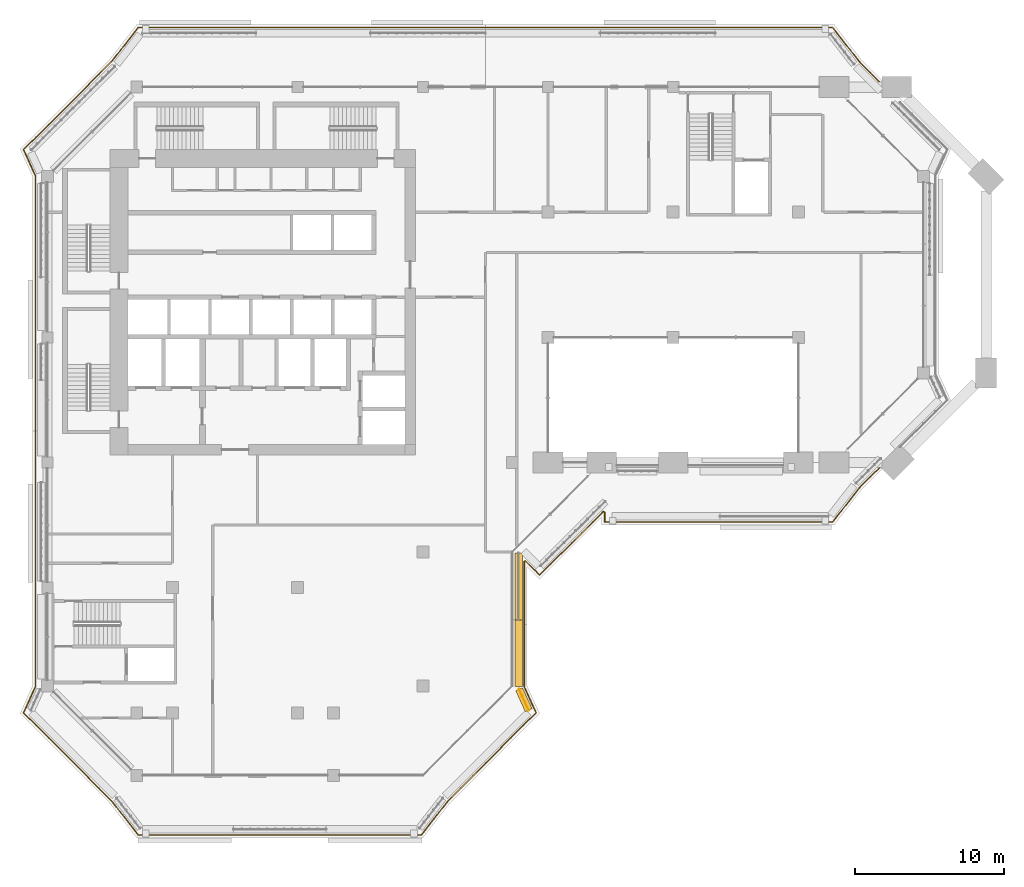
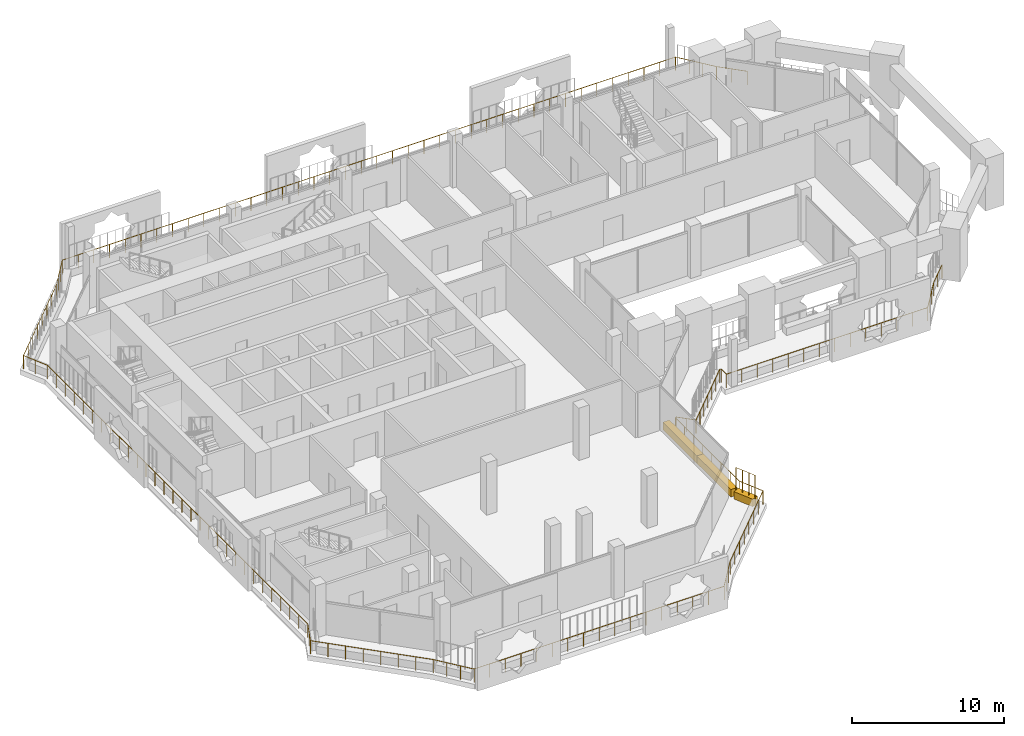
# One storey, part 18 of 23: 3 coverings, 3 railings.
"""IFC4 building model written with IfcOpenShell, lengths in metres."""

from ifc_helpers import new_model, si_unit, direction, frame, origin, origin_2d, place, context, subcontext, project, spatial, rectangle, circle, extrude, material, material_profile, profile_set, type_object, element, save


model = new_model("IFC4")

# Units and contexts
model_context = context("Model", 3, precision=1e-05, world=origin(), true_north=direction((0.0, 1.0)))
body_context = subcontext(model_context, "Body", "Model", "MODEL_VIEW")
ifc_project = project(units=[si_unit("LENGTHUNIT", "METRE"), si_unit("AREAUNIT", "SQUARE_METRE"), si_unit("VOLUMEUNIT", "CUBIC_METRE"), si_unit("PLANEANGLEUNIT", "RADIAN"), si_unit("MASSUNIT", "GRAM", prefix="KILO")], contexts=[model_context])

# Site, building, storey
site_placement = place(None, origin())
site = spatial("IfcSite", under=ifc_project, at=site_placement, CompositionType="ELEMENT")
building_placement = place(site_placement, origin())
building = spatial("IfcBuilding", under=site, at=building_placement, Name="Kawkab Arch Medical Tower", CompositionType="ELEMENT")
storey_placement = place(building_placement, frame((0.0, 0.0, 281.800048828125)))
storey = spatial("IfcBuildingStorey", under=building, at=storey_placement, Name="L65", CompositionType="ELEMENT", Elevation=281.800048828125)

# Railings
ifc_material_1 = material(Name="Bronze anodised aluminium guard", Category="aluminium")
railing_type_1 = type_object("IfcRailingType", Name="Loggia and terrace guard 1100", PredefinedType="GUARDRAIL", material=ifc_material_1)
railing_1_placement = place(storey_placement, frame((6.097900390625, -50.199951171875, 0.0)))
element("IfcRailing", 1, at=railing_1_placement, inside=storey, type_object=railing_type_1, Name="Guard L65.LOG-01.2.1", PredefinedType="GUARDRAIL", context=body_context, shape_type="SweptSolid", body=[
    extrude(circle(Radius=0.02392578125, at=origin_2d()), frame((0.0, 0.0, 1.076171875), z_axis=(-0.614144026922, 0.789193964876, 0.0), x_axis=(-0.789193964876, -0.614144026922, 0.0)), (0.0, 0.0, 1.0), 2.907958984375),
    extrude(circle(Radius=0.02392578125, at=origin_2d()), frame((-1.785888671875, 2.294921875, 1.076171875), z_axis=(-0.707106781187, 0.707106781187, 0.0), x_axis=(-0.707106781187, -0.707106781187, 0.0)), (0.0, 0.0, 1.0), 8.35791015625),
    extrude(circle(Radius=0.02392578125, at=origin_2d()), frame((-7.69580078125, 8.204833984375, 1.076171875), z_axis=(0.414404752076, 0.910092688388, 0.0), x_axis=(-0.910092688388, 0.414404752076, 0.0)), (0.0, 0.0, 1.0), 1.92529296875),
    extrude(circle(Radius=0.02392578125, at=origin_2d()), frame((-6.89794921875, 9.95703125, 1.076171875), z_axis=(0.0, 1.0, 0.0), x_axis=(-1.0, 0.0, 0.0)), (0.0, 0.0, 1.0), 34.285888671875),
    extrude(circle(Radius=0.02392578125, at=origin_2d()), frame((-6.89794921875, 44.242919921875, 1.076171875), z_axis=(-0.414452581809, 0.910070907914, 0.0), x_axis=(-0.910070907914, -0.414452581809, 0.0)), (0.0, 0.0, 1.0), 1.925048828125),
    extrude(circle(Radius=0.02392578125, at=origin_2d()), frame((-7.69580078125, 45.994873046875, 1.076171875), z_axis=(0.707092175918, 0.707121386154, 0.0), x_axis=(-0.707121386154, 0.707092175918, 0.0)), (0.0, 0.0, 1.0), 8.358154296875),
    extrude(circle(Radius=0.02392578125, at=origin_2d()), frame((-1.785888671875, 51.905029296875, 1.076171875), z_axis=(0.614144026922, 0.789193964876, 0.0), x_axis=(-0.789193964876, 0.614144026922, 0.0)), (0.0, 0.0, 1.0), 2.907958984375),
    extrude(circle(Radius=0.02392578125, at=origin_2d()), frame((0.0, 54.199951171875, 1.076171875), z_axis=(1.0, 0.0, 0.0), x_axis=(0.0, 1.0, 0.0)), (0.0, 0.0, 1.0), 46.60400390625),
    extrude(circle(Radius=0.02392578125, at=origin_2d()), frame((46.60400390625, 54.199951171875, 1.076171875), z_axis=(0.614196313452, -0.789153273162, 0.0), x_axis=(0.789153273162, 0.614196313452, 0.0)), (0.0, 0.0, 1.0), 2.908203125),
    extrude(circle(Radius=0.02392578125, at=origin_2d()), frame((48.39013671875, 51.905029296875, 1.076171875), z_axis=(0.707048537558, -0.707165020018, 0.0), x_axis=(0.707165020018, 0.707048537558, 0.0)), (0.0, 0.0, 1.0), 2.095947265625),
    extrude(circle(Radius=0.02099609375, at=origin_2d()), origin(), (0.0, 0.0, 1.0), 1.052001953125),
    extrude(circle(Radius=0.02099609375, at=origin_2d()), frame((-0.59521484375, 0.764892578125, 0.0)), (0.0, 0.0, 1.0), 1.052001953125),
    extrude(circle(Radius=0.02099609375, at=origin_2d()), frame((-1.190673828125, 1.530029296875, 0.0)), (0.0, 0.0, 1.0), 1.052001953125),
    extrude(circle(Radius=0.02099609375, at=origin_2d()), frame((-1.785888671875, 2.294921875, 0.0)), (0.0, 0.0, 1.0), 1.052001953125),
    extrude(circle(Radius=0.02099609375, at=origin_2d()), frame((-2.630126953125, 3.13916015625, 0.0)), (0.0, 0.0, 1.0), 1.052001953125),
    extrude(circle(Radius=0.02099609375, at=origin_2d()), frame((-3.474365234375, 3.9833984375, 0.0)), (0.0, 0.0, 1.0), 1.052001953125),
    extrude(circle(Radius=0.02099609375, at=origin_2d()), frame((-4.318603515625, 4.82763671875, 0.0)), (0.0, 0.0, 1.0), 1.052001953125),
    extrude(circle(Radius=0.02099609375, at=origin_2d()), frame((-5.1630859375, 5.672119140625, 0.0)), (0.0, 0.0, 1.0), 1.052001953125),
    extrude(circle(Radius=0.02099609375, at=origin_2d()), frame((-6.00732421875, 6.516357421875, 0.0)), (0.0, 0.0, 1.0), 1.052001953125),
    extrude(circle(Radius=0.02099609375, at=origin_2d()), frame((-6.8515625, 7.360595703125, 0.0)), (0.0, 0.0, 1.0), 1.052001953125),
    extrude(circle(Radius=0.02099609375, at=origin_2d()), frame((-7.69580078125, 8.204833984375, 0.0)), (0.0, 0.0, 1.0), 1.052001953125),
    extrude(circle(Radius=0.02099609375, at=origin_2d()), frame((-7.296875, 9.0810546875, 0.0)), (0.0, 0.0, 1.0), 1.052001953125),
    extrude(circle(Radius=0.02099609375, at=origin_2d()), frame((-6.89794921875, 9.95703125, 0.0)), (0.0, 0.0, 1.0), 1.052001953125),
    extrude(circle(Radius=0.02099609375, at=origin_2d()), frame((-6.89794921875, 11.139404296875, 0.0)), (0.0, 0.0, 1.0), 1.052001953125),
    extrude(circle(Radius=0.02099609375, at=origin_2d()), frame((-6.89794921875, 12.321533203125, 0.0)), (0.0, 0.0, 1.0), 1.052001953125),
    extrude(circle(Radius=0.02099609375, at=origin_2d()), frame((-6.89794921875, 13.50390625, 0.0)), (0.0, 0.0, 1.0), 1.052001953125),
    extrude(circle(Radius=0.02099609375, at=origin_2d()), frame((-6.89794921875, 14.68603515625, 0.0)), (0.0, 0.0, 1.0), 1.052001953125),
    extrude(circle(Radius=0.02099609375, at=origin_2d()), frame((-6.89794921875, 15.868408203125, 0.0)), (0.0, 0.0, 1.0), 1.052001953125),
    extrude(circle(Radius=0.02099609375, at=origin_2d()), frame((-6.89794921875, 17.05078125, 0.0)), (0.0, 0.0, 1.0), 1.052001953125),
    extrude(circle(Radius=0.02099609375, at=origin_2d()), frame((-6.89794921875, 18.23291015625, 0.0)), (0.0, 0.0, 1.0), 1.052001953125),
    extrude(circle(Radius=0.02099609375, at=origin_2d()), frame((-6.89794921875, 19.415283203125, 0.0)), (0.0, 0.0, 1.0), 1.052001953125),
    extrude(circle(Radius=0.02099609375, at=origin_2d()), frame((-6.89794921875, 20.597412109375, 0.0)), (0.0, 0.0, 1.0), 1.052001953125),
    extrude(circle(Radius=0.02099609375, at=origin_2d()), frame((-6.89794921875, 21.77978515625, 0.0)), (0.0, 0.0, 1.0), 1.052001953125),
    extrude(circle(Radius=0.02099609375, at=origin_2d()), frame((-6.89794921875, 22.9619140625, 0.0)), (0.0, 0.0, 1.0), 1.052001953125),
    extrude(circle(Radius=0.02099609375, at=origin_2d()), frame((-6.89794921875, 24.144287109375, 0.0)), (0.0, 0.0, 1.0), 1.052001953125),
    extrude(circle(Radius=0.02099609375, at=origin_2d()), frame((-6.89794921875, 25.32666015625, 0.0)), (0.0, 0.0, 1.0), 1.052001953125),
    extrude(circle(Radius=0.02099609375, at=origin_2d()), frame((-6.89794921875, 26.5087890625, 0.0)), (0.0, 0.0, 1.0), 1.052001953125),
    extrude(circle(Radius=0.02099609375, at=origin_2d()), frame((-6.89794921875, 27.691162109375, 0.0)), (0.0, 0.0, 1.0), 1.052001953125),
    extrude(circle(Radius=0.02099609375, at=origin_2d()), frame((-6.89794921875, 28.873291015625, 0.0)), (0.0, 0.0, 1.0), 1.052001953125),
    extrude(circle(Radius=0.02099609375, at=origin_2d()), frame((-6.89794921875, 30.0556640625, 0.0)), (0.0, 0.0, 1.0), 1.052001953125),
    extrude(circle(Radius=0.02099609375, at=origin_2d()), frame((-6.89794921875, 31.238037109375, 0.0)), (0.0, 0.0, 1.0), 1.052001953125),
    extrude(circle(Radius=0.02099609375, at=origin_2d()), frame((-6.89794921875, 32.420166015625, 0.0)), (0.0, 0.0, 1.0), 1.052001953125),
    extrude(circle(Radius=0.02099609375, at=origin_2d()), frame((-6.89794921875, 33.6025390625, 0.0)), (0.0, 0.0, 1.0), 1.052001953125),
    extrude(circle(Radius=0.02099609375, at=origin_2d()), frame((-6.89794921875, 34.78466796875, 0.0)), (0.0, 0.0, 1.0), 1.052001953125),
    extrude(circle(Radius=0.02099609375, at=origin_2d()), frame((-6.89794921875, 35.967041015625, 0.0)), (0.0, 0.0, 1.0), 1.052001953125),
    extrude(circle(Radius=0.02099609375, at=origin_2d()), frame((-6.89794921875, 37.149169921875, 0.0)), (0.0, 0.0, 1.0), 1.052001953125),
    extrude(circle(Radius=0.02099609375, at=origin_2d()), frame((-6.89794921875, 38.33154296875, 0.0)), (0.0, 0.0, 1.0), 1.052001953125),
    extrude(circle(Radius=0.02099609375, at=origin_2d()), frame((-6.89794921875, 39.513916015625, 0.0)), (0.0, 0.0, 1.0), 1.052001953125),
    extrude(circle(Radius=0.02099609375, at=origin_2d()), frame((-6.89794921875, 40.696044921875, 0.0)), (0.0, 0.0, 1.0), 1.052001953125),
    extrude(circle(Radius=0.02099609375, at=origin_2d()), frame((-6.89794921875, 41.87841796875, 0.0)), (0.0, 0.0, 1.0), 1.052001953125),
    extrude(circle(Radius=0.02099609375, at=origin_2d()), frame((-6.89794921875, 43.060546875, 0.0)), (0.0, 0.0, 1.0), 1.052001953125),
    extrude(circle(Radius=0.02099609375, at=origin_2d()), frame((-6.89794921875, 44.242919921875, 0.0)), (0.0, 0.0, 1.0), 1.052001953125),
    extrude(circle(Radius=0.02099609375, at=origin_2d()), frame((-7.296875, 45.118896484375, 0.0)), (0.0, 0.0, 1.0), 1.052001953125),
    extrude(circle(Radius=0.02099609375, at=origin_2d()), frame((-7.69580078125, 45.994873046875, 0.0)), (0.0, 0.0, 1.0), 1.052001953125),
    extrude(circle(Radius=0.02099609375, at=origin_2d()), frame((-6.8515625, 46.839111328125, 0.0)), (0.0, 0.0, 1.0), 1.052001953125),
    extrude(circle(Radius=0.02099609375, at=origin_2d()), frame((-6.00732421875, 47.68359375, 0.0)), (0.0, 0.0, 1.0), 1.052001953125),
    extrude(circle(Radius=0.02099609375, at=origin_2d()), frame((-5.1630859375, 48.52783203125, 0.0)), (0.0, 0.0, 1.0), 1.052001953125),
    extrude(circle(Radius=0.02099609375, at=origin_2d()), frame((-4.318603515625, 49.3720703125, 0.0)), (0.0, 0.0, 1.0), 1.052001953125),
    extrude(circle(Radius=0.02099609375, at=origin_2d()), frame((-3.474365234375, 50.21630859375, 0.0)), (0.0, 0.0, 1.0), 1.052001953125),
    extrude(circle(Radius=0.02099609375, at=origin_2d()), frame((-2.630126953125, 51.060791015625, 0.0)), (0.0, 0.0, 1.0), 1.052001953125),
    extrude(circle(Radius=0.02099609375, at=origin_2d()), frame((-1.785888671875, 51.905029296875, 0.0)), (0.0, 0.0, 1.0), 1.052001953125),
    extrude(circle(Radius=0.02099609375, at=origin_2d()), frame((-1.190673828125, 52.669921875, 0.0)), (0.0, 0.0, 1.0), 1.052001953125),
    extrude(circle(Radius=0.02099609375, at=origin_2d()), frame((-0.59521484375, 53.43505859375, 0.0)), (0.0, 0.0, 1.0), 1.052001953125),
    extrude(circle(Radius=0.02099609375, at=origin_2d()), frame((0.0, 54.199951171875, 0.0)), (0.0, 0.0, 1.0), 1.052001953125),
    extrude(circle(Radius=0.02099609375, at=origin_2d()), frame((1.195068359375, 54.199951171875, 0.0)), (0.0, 0.0, 1.0), 1.052001953125),
    extrude(circle(Radius=0.02099609375, at=origin_2d()), frame((2.389892578125, 54.199951171875, 0.0)), (0.0, 0.0, 1.0), 1.052001953125),
    extrude(circle(Radius=0.02099609375, at=origin_2d()), frame((3.5849609375, 54.199951171875, 0.0)), (0.0, 0.0, 1.0), 1.052001953125),
    extrude(circle(Radius=0.02099609375, at=origin_2d()), frame((4.77978515625, 54.199951171875, 0.0)), (0.0, 0.0, 1.0), 1.052001953125),
    extrude(circle(Radius=0.02099609375, at=origin_2d()), frame((5.974853515625, 54.199951171875, 0.0)), (0.0, 0.0, 1.0), 1.052001953125),
    extrude(circle(Radius=0.02099609375, at=origin_2d()), frame((7.169921875, 54.199951171875, 0.0)), (0.0, 0.0, 1.0), 1.052001953125),
    extrude(circle(Radius=0.02099609375, at=origin_2d()), frame((8.36474609375, 54.199951171875, 0.0)), (0.0, 0.0, 1.0), 1.052001953125),
    extrude(circle(Radius=0.02099609375, at=origin_2d()), frame((9.559814453125, 54.199951171875, 0.0)), (0.0, 0.0, 1.0), 1.052001953125),
    extrude(circle(Radius=0.02099609375, at=origin_2d()), frame((10.7548828125, 54.199951171875, 0.0)), (0.0, 0.0, 1.0), 1.052001953125),
    extrude(circle(Radius=0.02099609375, at=origin_2d()), frame((11.94970703125, 54.199951171875, 0.0)), (0.0, 0.0, 1.0), 1.052001953125),
    extrude(circle(Radius=0.02099609375, at=origin_2d()), frame((13.144775390625, 54.199951171875, 0.0)), (0.0, 0.0, 1.0), 1.052001953125),
    extrude(circle(Radius=0.02099609375, at=origin_2d()), frame((14.339599609375, 54.199951171875, 0.0)), (0.0, 0.0, 1.0), 1.052001953125),
    extrude(circle(Radius=0.02099609375, at=origin_2d()), frame((15.53466796875, 54.199951171875, 0.0)), (0.0, 0.0, 1.0), 1.052001953125),
    extrude(circle(Radius=0.02099609375, at=origin_2d()), frame((16.729736328125, 54.199951171875, 0.0)), (0.0, 0.0, 1.0), 1.052001953125),
    extrude(circle(Radius=0.02099609375, at=origin_2d()), frame((17.924560546875, 54.199951171875, 0.0)), (0.0, 0.0, 1.0), 1.052001953125),
    extrude(circle(Radius=0.02099609375, at=origin_2d()), frame((19.11962890625, 54.199951171875, 0.0)), (0.0, 0.0, 1.0), 1.052001953125),
    extrude(circle(Radius=0.02099609375, at=origin_2d()), frame((20.314453125, 54.199951171875, 0.0)), (0.0, 0.0, 1.0), 1.052001953125),
    extrude(circle(Radius=0.02099609375, at=origin_2d()), frame((21.509521484375, 54.199951171875, 0.0)), (0.0, 0.0, 1.0), 1.052001953125),
    extrude(circle(Radius=0.02099609375, at=origin_2d()), frame((22.70458984375, 54.199951171875, 0.0)), (0.0, 0.0, 1.0), 1.052001953125),
    extrude(circle(Radius=0.02099609375, at=origin_2d()), frame((23.8994140625, 54.199951171875, 0.0)), (0.0, 0.0, 1.0), 1.052001953125),
    extrude(circle(Radius=0.02099609375, at=origin_2d()), frame((25.094482421875, 54.199951171875, 0.0)), (0.0, 0.0, 1.0), 1.052001953125),
    extrude(circle(Radius=0.02099609375, at=origin_2d()), frame((26.28955078125, 54.199951171875, 0.0)), (0.0, 0.0, 1.0), 1.052001953125),
    extrude(circle(Radius=0.02099609375, at=origin_2d()), frame((27.484375, 54.199951171875, 0.0)), (0.0, 0.0, 1.0), 1.052001953125),
    extrude(circle(Radius=0.02099609375, at=origin_2d()), frame((28.679443359375, 54.199951171875, 0.0)), (0.0, 0.0, 1.0), 1.052001953125),
    extrude(circle(Radius=0.02099609375, at=origin_2d()), frame((29.874267578125, 54.199951171875, 0.0)), (0.0, 0.0, 1.0), 1.052001953125),
    extrude(circle(Radius=0.02099609375, at=origin_2d()), frame((31.0693359375, 54.199951171875, 0.0)), (0.0, 0.0, 1.0), 1.052001953125),
    extrude(circle(Radius=0.02099609375, at=origin_2d()), frame((32.264404296875, 54.199951171875, 0.0)), (0.0, 0.0, 1.0), 1.052001953125),
    extrude(circle(Radius=0.02099609375, at=origin_2d()), frame((33.459228515625, 54.199951171875, 0.0)), (0.0, 0.0, 1.0), 1.052001953125),
    extrude(circle(Radius=0.02099609375, at=origin_2d()), frame((34.654296875, 54.199951171875, 0.0)), (0.0, 0.0, 1.0), 1.052001953125),
    extrude(circle(Radius=0.02099609375, at=origin_2d()), frame((35.84912109375, 54.199951171875, 0.0)), (0.0, 0.0, 1.0), 1.052001953125),
    extrude(circle(Radius=0.02099609375, at=origin_2d()), frame((37.044189453125, 54.199951171875, 0.0)), (0.0, 0.0, 1.0), 1.052001953125),
    extrude(circle(Radius=0.02099609375, at=origin_2d()), frame((38.2392578125, 54.199951171875, 0.0)), (0.0, 0.0, 1.0), 1.052001953125),
    extrude(circle(Radius=0.02099609375, at=origin_2d()), frame((39.43408203125, 54.199951171875, 0.0)), (0.0, 0.0, 1.0), 1.052001953125),
    extrude(circle(Radius=0.02099609375, at=origin_2d()), frame((40.629150390625, 54.199951171875, 0.0)), (0.0, 0.0, 1.0), 1.052001953125),
    extrude(circle(Radius=0.02099609375, at=origin_2d()), frame((41.82421875, 54.199951171875, 0.0)), (0.0, 0.0, 1.0), 1.052001953125),
    extrude(circle(Radius=0.02099609375, at=origin_2d()), frame((43.01904296875, 54.199951171875, 0.0)), (0.0, 0.0, 1.0), 1.052001953125),
    extrude(circle(Radius=0.02099609375, at=origin_2d()), frame((44.214111328125, 54.199951171875, 0.0)), (0.0, 0.0, 1.0), 1.052001953125),
    extrude(circle(Radius=0.02099609375, at=origin_2d()), frame((45.408935546875, 54.199951171875, 0.0)), (0.0, 0.0, 1.0), 1.052001953125),
    extrude(circle(Radius=0.02099609375, at=origin_2d()), frame((46.60400390625, 54.199951171875, 0.0)), (0.0, 0.0, 1.0), 1.052001953125),
    extrude(circle(Radius=0.02099609375, at=origin_2d()), frame((47.199462890625, 53.43505859375, 0.0)), (0.0, 0.0, 1.0), 1.052001953125),
    extrude(circle(Radius=0.02099609375, at=origin_2d()), frame((47.794677734375, 52.669921875, 0.0)), (0.0, 0.0, 1.0), 1.052001953125),
    extrude(circle(Radius=0.02099609375, at=origin_2d()), frame((48.39013671875, 51.905029296875, 0.0)), (0.0, 0.0, 1.0), 1.052001953125),
    extrude(circle(Radius=0.02099609375, at=origin_2d()), frame((49.131103515625, 51.1640625, 0.0)), (0.0, 0.0, 1.0), 1.052001953125),
    extrude(circle(Radius=0.02099609375, at=origin_2d()), frame((49.8720703125, 50.4228515625, 0.0)), (0.0, 0.0, 1.0), 1.052001953125),
])
railing_2_placement = place(storey_placement, frame((55.969970703125, -25.423095703125, 0.0)))
element("IfcRailing", 2, at=railing_2_placement, inside=storey, type_object=railing_type_1, Name="Guard L65.LOG-01.2.3", PredefinedType="GUARDRAIL", context=body_context, shape_type="SweptSolid", body=[
    extrude(circle(Radius=0.02392578125, at=origin_2d()), frame((0.0, 0.0, 1.076171875), z_axis=(-0.707106781187, -0.707106781187, 0.0), x_axis=(0.707106781187, -0.707106781187, 0.0)), (0.0, 0.0, 1.0), 2.095703125),
    extrude(circle(Radius=0.02392578125, at=origin_2d()), frame((-1.48193359375, -1.48193359375, 1.076171875), z_axis=(-0.614196313452, -0.789153273162, 0.0), x_axis=(0.789153273162, -0.614196313452, 0.0)), (0.0, 0.0, 1.0), 2.908203125),
    extrude(circle(Radius=0.02392578125, at=origin_2d()), frame((-3.26806640625, -3.77685546875, 1.076171875), z_axis=(-1.0, 0.0, 0.0), x_axis=(0.0, -1.0, 0.0)), (0.0, 0.0, 1.0), 15.302001953125),
    extrude(circle(Radius=0.02392578125, at=origin_2d()), frame((-18.570068359375, -3.77685546875, 1.076171875), z_axis=(0.0, 1.0, 0.0), x_axis=(-1.0, 0.0, 0.0)), (0.0, 0.0, 1.0), 0.6728515625),
    extrude(circle(Radius=0.02392578125, at=origin_2d()), frame((-18.570068359375, -3.10400390625, 1.076171875), z_axis=(-0.923431341387, 0.383763674343, 0.0), x_axis=(-0.383763674343, -0.923431341387, 0.0)), (0.0, 0.0, 1.0), 0.101806640625),
    extrude(circle(Radius=0.02392578125, at=origin_2d()), frame((-18.6640625, -3.06494140625, 1.076171875), z_axis=(-0.707187685852, -0.707025867263, 0.0), x_axis=(0.707025867263, -0.707187685852, 0.0)), (0.0, 0.0, 1.0), 6.034912109375),
    extrude(circle(Radius=0.02392578125, at=origin_2d()), frame((-22.931884765625, -7.331787109375, 1.076171875), z_axis=(-0.707198215437, 0.707015335112, 0.0), x_axis=(-0.707015335112, -0.707198215437, 0.0)), (0.0, 0.0, 1.0), 1.3349609375),
    extrude(circle(Radius=0.02392578125, at=origin_2d()), frame((-23.8759765625, -6.387939453125, 1.076171875), z_axis=(-0.923431341387, -0.383763674343, 0.0), x_axis=(0.383763674343, -0.923431341387, 0.0)), (0.0, 0.0, 1.0), 0.101806640625),
    extrude(circle(Radius=0.02392578125, at=origin_2d()), frame((-23.969970703125, -6.427001953125, 1.076171875), z_axis=(0.0, -1.0, 0.0), x_axis=(1.0, 0.0, 0.0)), (0.0, 0.0, 1.0), 8.392822265625),
    extrude(circle(Radius=0.02392578125, at=origin_2d()), frame((-23.969970703125, -14.81982421875, 1.076171875), z_axis=(0.414509773934, -0.910044860056, 0.0), x_axis=(0.910044860056, 0.414509773934, 0.0)), (0.0, 0.0, 1.0), 1.92529296875),
    extrude(circle(Radius=0.02392578125, at=origin_2d()), frame((-23.171875, -16.572021484375, 1.076171875), z_axis=(-0.707121386154, -0.707092175918, 0.0), x_axis=(0.707092175918, -0.707121386154, 0.0)), (0.0, 0.0, 1.0), 8.358154296875),
    extrude(circle(Radius=0.02392578125, at=origin_2d()), frame((-29.08203125, -22.48193359375, 1.076171875), z_axis=(-0.614144026922, -0.789193964876, 0.0), x_axis=(0.789193964876, -0.614144026922, 0.0)), (0.0, 0.0, 1.0), 2.907958984375),
    extrude(circle(Radius=0.02392578125, at=origin_2d()), frame((-30.867919921875, -24.77685546875, 1.076171875), z_axis=(-1.0, 0.0, 0.0), x_axis=(0.0, -1.0, 0.0)), (0.0, 0.0, 1.0), 19.004150390625),
    extrude(circle(Radius=0.02099609375, at=origin_2d()), origin(), (0.0, 0.0, 1.0), 1.052001953125),
    extrude(circle(Radius=0.02099609375, at=origin_2d()), frame((-0.740966796875, -0.740966796875, 0.0)), (0.0, 0.0, 1.0), 1.052001953125),
    extrude(circle(Radius=0.02099609375, at=origin_2d()), frame((-1.48193359375, -1.48193359375, 0.0)), (0.0, 0.0, 1.0), 1.052001953125),
    extrude(circle(Radius=0.02099609375, at=origin_2d()), frame((-2.077392578125, -2.246826171875, 0.0)), (0.0, 0.0, 1.0), 1.052001953125),
    extrude(circle(Radius=0.02099609375, at=origin_2d()), frame((-2.672607421875, -3.011962890625, 0.0)), (0.0, 0.0, 1.0), 1.052001953125),
    extrude(circle(Radius=0.02099609375, at=origin_2d()), frame((-3.26806640625, -3.77685546875, 0.0)), (0.0, 0.0, 1.0), 1.052001953125),
    extrude(circle(Radius=0.02099609375, at=origin_2d()), frame((-4.445068359375, -3.77685546875, 0.0)), (0.0, 0.0, 1.0), 1.052001953125),
    extrude(circle(Radius=0.02099609375, at=origin_2d()), frame((-5.622314453125, -3.77685546875, 0.0)), (0.0, 0.0, 1.0), 1.052001953125),
    extrude(circle(Radius=0.02099609375, at=origin_2d()), frame((-6.79931640625, -3.77685546875, 0.0)), (0.0, 0.0, 1.0), 1.052001953125),
    extrude(circle(Radius=0.02099609375, at=origin_2d()), frame((-7.976318359375, -3.77685546875, 0.0)), (0.0, 0.0, 1.0), 1.052001953125),
    extrude(circle(Radius=0.02099609375, at=origin_2d()), frame((-9.153564453125, -3.77685546875, 0.0)), (0.0, 0.0, 1.0), 1.052001953125),
    extrude(circle(Radius=0.02099609375, at=origin_2d()), frame((-10.33056640625, -3.77685546875, 0.0)), (0.0, 0.0, 1.0), 1.052001953125),
    extrude(circle(Radius=0.02099609375, at=origin_2d()), frame((-11.507568359375, -3.77685546875, 0.0)), (0.0, 0.0, 1.0), 1.052001953125),
    extrude(circle(Radius=0.02099609375, at=origin_2d()), frame((-12.6845703125, -3.77685546875, 0.0)), (0.0, 0.0, 1.0), 1.052001953125),
    extrude(circle(Radius=0.02099609375, at=origin_2d()), frame((-13.86181640625, -3.77685546875, 0.0)), (0.0, 0.0, 1.0), 1.052001953125),
    extrude(circle(Radius=0.02099609375, at=origin_2d()), frame((-15.038818359375, -3.77685546875, 0.0)), (0.0, 0.0, 1.0), 1.052001953125),
    extrude(circle(Radius=0.02099609375, at=origin_2d()), frame((-16.2158203125, -3.77685546875, 0.0)), (0.0, 0.0, 1.0), 1.052001953125),
    extrude(circle(Radius=0.02099609375, at=origin_2d()), frame((-17.39306640625, -3.77685546875, 0.0)), (0.0, 0.0, 1.0), 1.052001953125),
    extrude(circle(Radius=0.02099609375, at=origin_2d()), frame((-18.570068359375, -3.77685546875, 0.0)), (0.0, 0.0, 1.0), 1.052001953125),
    extrude(circle(Radius=0.02099609375, at=origin_2d()), frame((-18.570068359375, -3.10400390625, 0.0)), (0.0, 0.0, 1.0), 1.052001953125),
    extrude(circle(Radius=0.02099609375, at=origin_2d()), frame((-18.6640625, -3.06494140625, 0.0)), (0.0, 0.0, 1.0), 1.052001953125),
    extrude(circle(Radius=0.02099609375, at=origin_2d()), frame((-19.37548828125, -3.776123046875, 0.0)), (0.0, 0.0, 1.0), 1.052001953125),
    extrude(circle(Radius=0.02099609375, at=origin_2d()), frame((-20.086669921875, -4.4873046875, 0.0)), (0.0, 0.0, 1.0), 1.052001953125),
    extrude(circle(Radius=0.02099609375, at=origin_2d()), frame((-20.7978515625, -5.1982421875, 0.0)), (0.0, 0.0, 1.0), 1.052001953125),
    extrude(circle(Radius=0.02099609375, at=origin_2d()), frame((-21.50927734375, -5.909423828125, 0.0)), (0.0, 0.0, 1.0), 1.052001953125),
    extrude(circle(Radius=0.02099609375, at=origin_2d()), frame((-22.220703125, -6.62060546875, 0.0)), (0.0, 0.0, 1.0), 1.052001953125),
    extrude(circle(Radius=0.02099609375, at=origin_2d()), frame((-22.931884765625, -7.331787109375, 0.0)), (0.0, 0.0, 1.0), 1.052001953125),
    extrude(circle(Radius=0.02099609375, at=origin_2d()), frame((-23.40380859375, -6.85986328125, 0.0)), (0.0, 0.0, 1.0), 1.052001953125),
    extrude(circle(Radius=0.02099609375, at=origin_2d()), frame((-23.8759765625, -6.387939453125, 0.0)), (0.0, 0.0, 1.0), 1.052001953125),
    extrude(circle(Radius=0.02099609375, at=origin_2d()), frame((-23.969970703125, -6.427001953125, 0.0)), (0.0, 0.0, 1.0), 1.052001953125),
    extrude(circle(Radius=0.02099609375, at=origin_2d()), frame((-23.969970703125, -7.6259765625, 0.0)), (0.0, 0.0, 1.0), 1.052001953125),
    extrude(circle(Radius=0.02099609375, at=origin_2d()), frame((-23.969970703125, -8.824951171875, 0.0)), (0.0, 0.0, 1.0), 1.052001953125),
    extrude(circle(Radius=0.02099609375, at=origin_2d()), frame((-23.969970703125, -10.02392578125, 0.0)), (0.0, 0.0, 1.0), 1.052001953125),
    extrude(circle(Radius=0.02099609375, at=origin_2d()), frame((-23.969970703125, -11.222900390625, 0.0)), (0.0, 0.0, 1.0), 1.052001953125),
    extrude(circle(Radius=0.02099609375, at=origin_2d()), frame((-23.969970703125, -12.421875, 0.0)), (0.0, 0.0, 1.0), 1.052001953125),
    extrude(circle(Radius=0.02099609375, at=origin_2d()), frame((-23.969970703125, -13.620849609375, 0.0)), (0.0, 0.0, 1.0), 1.052001953125),
    extrude(circle(Radius=0.02099609375, at=origin_2d()), frame((-23.969970703125, -14.81982421875, 0.0)), (0.0, 0.0, 1.0), 1.052001953125),
    extrude(circle(Radius=0.02099609375, at=origin_2d()), frame((-23.57080078125, -15.69580078125, 0.0)), (0.0, 0.0, 1.0), 1.052001953125),
    extrude(circle(Radius=0.02099609375, at=origin_2d()), frame((-23.171875, -16.572021484375, 0.0)), (0.0, 0.0, 1.0), 1.052001953125),
    extrude(circle(Radius=0.02099609375, at=origin_2d()), frame((-24.01611328125, -17.416259765625, 0.0)), (0.0, 0.0, 1.0), 1.052001953125),
    extrude(circle(Radius=0.02099609375, at=origin_2d()), frame((-24.860595703125, -18.260498046875, 0.0)), (0.0, 0.0, 1.0), 1.052001953125),
    extrude(circle(Radius=0.02099609375, at=origin_2d()), frame((-25.704833984375, -19.104736328125, 0.0)), (0.0, 0.0, 1.0), 1.052001953125),
    extrude(circle(Radius=0.02099609375, at=origin_2d()), frame((-26.549072265625, -19.94921875, 0.0)), (0.0, 0.0, 1.0), 1.052001953125),
    extrude(circle(Radius=0.02099609375, at=origin_2d()), frame((-27.393310546875, -20.79345703125, 0.0)), (0.0, 0.0, 1.0), 1.052001953125),
    extrude(circle(Radius=0.02099609375, at=origin_2d()), frame((-28.23779296875, -21.6376953125, 0.0)), (0.0, 0.0, 1.0), 1.052001953125),
    extrude(circle(Radius=0.02099609375, at=origin_2d()), frame((-29.08203125, -22.48193359375, 0.0)), (0.0, 0.0, 1.0), 1.052001953125),
    extrude(circle(Radius=0.02099609375, at=origin_2d()), frame((-29.67724609375, -23.246826171875, 0.0)), (0.0, 0.0, 1.0), 1.052001953125),
    extrude(circle(Radius=0.02099609375, at=origin_2d()), frame((-30.272705078125, -24.011962890625, 0.0)), (0.0, 0.0, 1.0), 1.052001953125),
    extrude(circle(Radius=0.02099609375, at=origin_2d()), frame((-30.867919921875, -24.77685546875, 0.0)), (0.0, 0.0, 1.0), 1.052001953125),
    extrude(circle(Radius=0.02099609375, at=origin_2d()), frame((-32.0556640625, -24.77685546875, 0.0)), (0.0, 0.0, 1.0), 1.052001953125),
    extrude(circle(Radius=0.02099609375, at=origin_2d()), frame((-33.243408203125, -24.77685546875, 0.0)), (0.0, 0.0, 1.0), 1.052001953125),
    extrude(circle(Radius=0.02099609375, at=origin_2d()), frame((-34.43115234375, -24.77685546875, 0.0)), (0.0, 0.0, 1.0), 1.052001953125),
    extrude(circle(Radius=0.02099609375, at=origin_2d()), frame((-35.618896484375, -24.77685546875, 0.0)), (0.0, 0.0, 1.0), 1.052001953125),
    extrude(circle(Radius=0.02099609375, at=origin_2d()), frame((-36.806640625, -24.77685546875, 0.0)), (0.0, 0.0, 1.0), 1.052001953125),
    extrude(circle(Radius=0.02099609375, at=origin_2d()), frame((-37.994384765625, -24.77685546875, 0.0)), (0.0, 0.0, 1.0), 1.052001953125),
    extrude(circle(Radius=0.02099609375, at=origin_2d()), frame((-39.18212890625, -24.77685546875, 0.0)), (0.0, 0.0, 1.0), 1.052001953125),
    extrude(circle(Radius=0.02099609375, at=origin_2d()), frame((-40.3701171875, -24.77685546875, 0.0)), (0.0, 0.0, 1.0), 1.052001953125),
    extrude(circle(Radius=0.02099609375, at=origin_2d()), frame((-41.557861328125, -24.77685546875, 0.0)), (0.0, 0.0, 1.0), 1.052001953125),
    extrude(circle(Radius=0.02099609375, at=origin_2d()), frame((-42.74560546875, -24.77685546875, 0.0)), (0.0, 0.0, 1.0), 1.052001953125),
    extrude(circle(Radius=0.02099609375, at=origin_2d()), frame((-43.933349609375, -24.77685546875, 0.0)), (0.0, 0.0, 1.0), 1.052001953125),
    extrude(circle(Radius=0.02099609375, at=origin_2d()), frame((-45.12109375, -24.77685546875, 0.0)), (0.0, 0.0, 1.0), 1.052001953125),
    extrude(circle(Radius=0.02099609375, at=origin_2d()), frame((-46.308837890625, -24.77685546875, 0.0)), (0.0, 0.0, 1.0), 1.052001953125),
    extrude(circle(Radius=0.02099609375, at=origin_2d()), frame((-47.49658203125, -24.77685546875, 0.0)), (0.0, 0.0, 1.0), 1.052001953125),
    extrude(circle(Radius=0.02099609375, at=origin_2d()), frame((-48.684326171875, -24.77685546875, 0.0)), (0.0, 0.0, 1.0), 1.052001953125),
    extrude(circle(Radius=0.02099609375, at=origin_2d()), frame((-49.8720703125, -24.77685546875, 0.0)), (0.0, 0.0, 1.0), 1.052001953125),
])

# Coverings
ifc_material_2 = material(Name="Planting soil in a precast trough", Category="concrete")
ifc_material_profile = material_profile(ifc_material_2, rectangle(XDim=0.5, YDim=0.60009765625, at=origin_2d()), Name="Trough 500x600")
ifc_profile_set = profile_set([ifc_material_profile], Name="Planting soil in a precast trough")
covering_type = type_object("IfcCoveringType", Name="Planter trough 500 x 600", PredefinedType="USERDEFINED", material=ifc_profile_set)
covering_1_placement = place(storey_placement, frame((31.6201171875, -31.284912109375, 0.300048828125), z_axis=(0.0, -1.0, 0.0), x_axis=(1.0, 0.0, 0.0)))
element("IfcCovering", 3, at=covering_1_placement, inside=storey, type_object=covering_type, Name="Planter L65.LOG-01-02.33", ObjectType="PLANTER", PredefinedType="USERDEFINED", context=body_context, shape_type="SweptSolid", body=[
    extrude(rectangle(XDim=0.5, YDim=0.60009765625, at=origin_2d()), origin(), (0.0, 0.0, 1.0), 4.469970703125),
])
covering_2_placement = place(storey_placement, frame((31.6201171875, -35.7548828125, 0.300048828125), z_axis=(0.0, -1.0, 0.0), x_axis=(1.0, 0.0, 0.0)))
element("IfcCovering", 4, at=covering_2_placement, inside=storey, type_object=covering_type, Name="Planter L65.LOG-01-02.34", ObjectType="PLANTER", PredefinedType="USERDEFINED", context=body_context, shape_type="SweptSolid", body=[
    extrude(rectangle(XDim=0.5, YDim=0.60009765625, at=origin_2d()), origin(), (0.0, 0.0, 1.0), 4.47119140625),
])
covering_3_placement = place(storey_placement, frame((31.660888671875, -40.4169921875, 0.300048828125), z_axis=(0.415363486165, -0.909655525109, 0.0), x_axis=(0.909655525109, 0.415363486165, 0.0)))
element("IfcCovering", 5, at=covering_3_placement, inside=storey, type_object=covering_type, Name="Planter L65.LOG-01-02.35", ObjectType="PLANTER", PredefinedType="USERDEFINED", context=body_context, shape_type="SweptSolid", body=[
    extrude(rectangle(XDim=0.5, YDim=0.60009765625, at=origin_2d()), origin(), (0.0, 0.0, 1.0), 1.54345703125),
])

# Railing
ifc_material_3 = material(Name="Bronze anodised aluminium trellis for climbing plants", Category="aluminium")
railing_type_2 = type_object("IfcRailingType", Name="Planting trellis 2400", PredefinedType="USERDEFINED", material=ifc_material_3)
railing_3_placement = place(storey_placement, frame((31.660888671875, -40.4169921875, 0.0)))
element("IfcRailing", 6, at=railing_3_placement, inside=storey, type_object=railing_type_2, Name="Planting trellis L65.LOG-01-02.35", ObjectType="TRELLIS", PredefinedType="USERDEFINED", context=body_context, shape_type="SweptSolid", body=[
    extrude(circle(Radius=0.01513671875, at=origin_2d()), frame((0.0, 0.0, 2.384765625), z_axis=(0.415363486165, -0.909655525109, 0.0), x_axis=(0.909655525109, 0.415363486165, 0.0)), (0.0, 0.0, 1.0), 1.54345703125),
    extrude(circle(Radius=0.030029296875, at=origin_2d()), origin(), (0.0, 0.0, 1.0), 2.369873046875),
    extrude(circle(Radius=0.030029296875, at=origin_2d()), frame((0.213623046875, -0.468017578125, 0.0)), (0.0, 0.0, 1.0), 2.369873046875),
    extrude(circle(Radius=0.030029296875, at=origin_2d()), frame((0.427490234375, -0.93603515625, 0.0)), (0.0, 0.0, 1.0), 2.369873046875),
    extrude(circle(Radius=0.030029296875, at=origin_2d()), frame((0.64111328125, -1.404052734375, 0.0)), (0.0, 0.0, 1.0), 2.369873046875),
])

save(model, "model.ifc")
